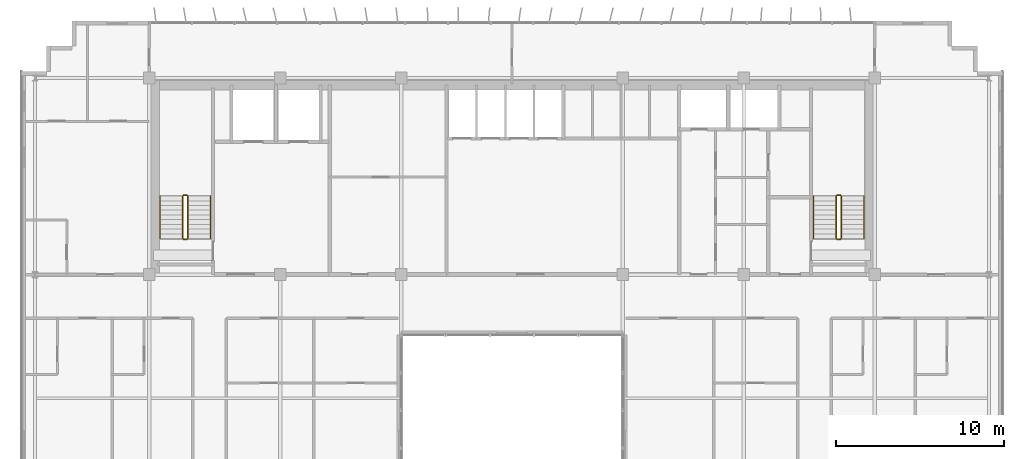
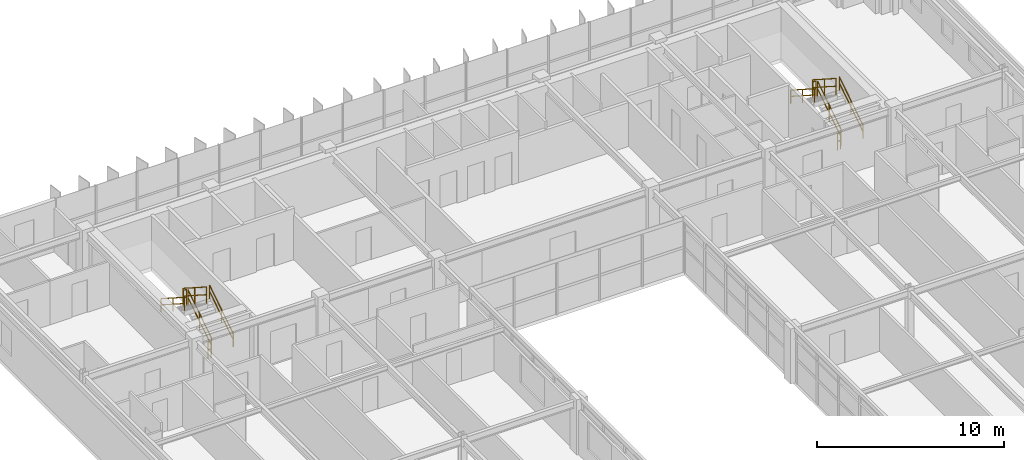
# One storey, part 35 of 35: 12 railings.
"""IFC4 building model written with IfcOpenShell, lengths in metres."""

import ifcopenshell
import ifcopenshell.guid

model = None  # the IFC model being written
_history = None  # IfcOwnerHistory: only IFC2X3 demands one
_inside = {}  # id of a spatial element -> (the spatial element, [elements in it])
_under = {}  # id of a project, library or spatial element -> (it, [spatial elements below it])
_declared = {}  # id of a project -> (the project, [libraries it declares])
_typed = {}  # id of a type object -> (the type object, [elements of that type])
_made_of = {}  # id of a material, layer set ... -> (it, [elements and type objects made of it])


def new_model(schema):
    """Start an empty IFC model of exactly this schema.

    Asked for "IFC4X3", IfcOpenShell would pick the latest addendum, in which some entities
    have other attributes; the version numbers below select the first issue.
    IFC2X3 requires an IfcOwnerHistory on every rooted entity: one is made here for all.
    """
    global model, _history
    if schema == "IFC4X3":
        model = ifcopenshell.file(schema_version=(4, 3, 0, 0))
    else:
        model = ifcopenshell.file(schema=schema)
    _inside.clear()
    _under.clear()
    _declared.clear()
    _typed.clear()
    _made_of.clear()
    _history = None
    if model.schema == "IFC2X3":
        org = make("IfcOrganization", Name="unknown")
        user = make(
            "IfcPersonAndOrganization",
            ThePerson=make("IfcPerson", FamilyName="unknown"),
            TheOrganization=org,
        )
        app = make(
            "IfcApplication",
            ApplicationDeveloper=org,
            Version="unknown",
            ApplicationFullName="unknown",
            ApplicationIdentifier="unknown",
        )
        _history = make(
            "IfcOwnerHistory",
            OwningUser=user,
            OwningApplication=app,
            ChangeAction="ADDED",
            CreationDate=0,
        )
    return model


def make(cls, **values):
    """One entity of the class cls with the attributes given. An attribute that is None is left unset."""
    return model.create_entity(
        cls, **{name: value for name, value in values.items() if value is not None}
    )


def rooted(cls, **values):
    """An entity with a GlobalId (a new one), such as an element, a storey or a relation."""
    return make(cls, GlobalId=ifcopenshell.guid.new(), OwnerHistory=_history, **values)


def si_unit(unit_type, name, prefix=None):
    """IfcSIUnit, for example si_unit("LENGTHUNIT", "METRE", prefix="MILLI")."""
    return make("IfcSIUnit", UnitType=unit_type, Prefix=prefix, Name=name)


def assignment(units):
    """IfcUnitAssignment: the units of a project."""
    return None if units is None else make("IfcUnitAssignment", Units=units)


def point(xyz):
    """IfcCartesianPoint."""
    return None if xyz is None else make("IfcCartesianPoint", Coordinates=xyz)


def direction(xyz):
    """IfcDirection."""
    return None if xyz is None else make("IfcDirection", DirectionRatios=xyz)


def frame(location, z_axis=None, x_axis=None):
    """IfcAxis2Placement3D, a coordinate frame: its origin and axes. An axis left out is left unset."""
    return make(
        "IfcAxis2Placement3D",
        Location=point(location),
        Axis=direction(z_axis),
        RefDirection=direction(x_axis),
    )


def frame_2d(location, x_axis=None):
    """IfcAxis2Placement2D, a coordinate frame in the plane: its origin and x axis."""
    return make(
        "IfcAxis2Placement2D", Location=point(location), RefDirection=direction(x_axis)
    )


def origin():
    """The frame at (0, 0, 0) with its axes left unset."""
    return frame((0.0, 0.0, 0.0))


def origin_2d():
    """The frame at (0, 0) in the plane with its x axis left unset."""
    return frame_2d((0.0, 0.0))


def place(relative_to, where):
    """IfcLocalPlacement: puts the frame where relative to a parent placement (None: the world)."""
    return make(
        "IfcLocalPlacement", PlacementRelTo=relative_to, RelativePlacement=where
    )


def context(
    kind, dimensions, precision=None, world=None, true_north=None, identifier=None
):
    """IfcGeometricRepresentationContext, for example the 3D "Model" context."""
    return make(
        "IfcGeometricRepresentationContext",
        ContextIdentifier=identifier,
        ContextType=kind,
        CoordinateSpaceDimension=dimensions,
        Precision=precision,
        WorldCoordinateSystem=world,
        TrueNorth=true_north,
    )


def subcontext(parent, identifier, kind, view, scale=None):
    """IfcGeometricRepresentationSubContext, for example "Body" below "Model"."""
    return make(
        "IfcGeometricRepresentationSubContext",
        ContextIdentifier=identifier,
        ContextType=kind,
        ParentContext=parent,
        TargetScale=scale,
        TargetView=view,
    )


def project(units=None, contexts=None):
    """IfcProject with its units and contexts."""
    return rooted(
        "IfcProject",
        Name="project",
        RepresentationContexts=contexts,
        UnitsInContext=assignment(units),
    )


def spatial(cls, under=None, at=None, **own):
    """A site, building, storey or space (cls), placed at a placement, below another one or the project."""
    s = rooted(cls, ObjectPlacement=at, **own)
    if under is not None:
        _under.setdefault(under.id(), (under, []))[1].append(s)
    return s


def profile(cls, at=None, kind="AREA", **sizes):
    """A parametric profile (cls). Its sizes go by their IFC names, for example OverallWidth=200.0."""
    return make(cls, ProfileType=kind, Position=at, **sizes)


def rectangle(**sizes):
    """IfcRectangleProfileDef."""
    return profile("IfcRectangleProfileDef", **sizes)


def extrude(swept, where, along, depth):
    """IfcExtrudedAreaSolid: the profile swept, set in the frame where, extruded along a direction by depth."""
    return make(
        "IfcExtrudedAreaSolid",
        SweptArea=swept,
        Position=where,
        ExtrudedDirection=direction(along),
        Depth=depth,
    )


def shape(context_of_items, identifier, shape_type, items):
    """IfcShapeRepresentation: the items that make up one representation, for example the "Body"."""
    return make(
        "IfcShapeRepresentation",
        ContextOfItems=context_of_items,
        RepresentationIdentifier=identifier,
        RepresentationType=shape_type,
        Items=items,
    )


def material(Name=None, Category=None):
    """IfcMaterial."""
    return make("IfcMaterial", Name=Name, Category=Category)


def made_of(thing, what):
    """Note that an element or type object is made of a material, layer set ...; save() writes the relation."""
    if what is not None:
        _made_of.setdefault(what.id(), (what, []))[1].append(thing)
    return thing


def type_object(cls, material=None, **own):
    """A type object (cls), such as IfcWallType, which elements share."""
    return made_of(rooted(cls, **own), material)


def element(
    cls,
    number,
    at=None,
    inside=None,
    cuts=None,
    type_object=None,
    material=None,
    context=None,
    identifier="Body",
    shape_type=None,
    held_by="IfcProductDefinitionShape",
    body=None,
    shapes=None,
    **own,
):
    """One element of the class cls, such as IfcWall. Its Tag is "e" and its number.

    at: its placement. inside: the storey or other place that contains it. cuts: it is an
    opening in that element (IfcRelVoidsElement). A single representation is given by context,
    identifier, shape_type and body (its items); several are given by shapes. held_by: the class
    of the entity that holds the representations. save() writes the other relations.
    """
    e = rooted(cls, Tag="e%d" % number, ObjectPlacement=at, **own)
    if body is not None:
        shapes = [shape(context, identifier, shape_type, body)]
    if shapes is not None:
        e.Representation = make(held_by, Representations=shapes)
    if inside is not None:
        _inside.setdefault(inside.id(), (inside, []))[1].append(e)
    if cuts is not None:
        rooted(
            "IfcRelVoidsElement", RelatingBuildingElement=cuts, RelatedOpeningElement=e
        )
    if type_object is not None:
        _typed.setdefault(type_object.id(), (type_object, []))[1].append(e)
    return made_of(e, material)


def aggregate(whole, parts):
    """IfcRelAggregates: a whole, such as a stair, and the parts it consists of."""
    return rooted("IfcRelAggregates", RelatingObject=whole, RelatedObjects=parts)


def save(model, path):
    """Write the relations noted so far, then the file.

    IfcRelAggregates (storeys below a building ...), IfcRelContainedInSpatialStructure (elements
    in a storey), IfcRelDefinesByType, IfcRelAssociatesMaterial and IfcRelDeclares: one each for
    every whole, place, type object, material and project.
    """
    for whole, parts in _under.values():
        aggregate(whole, parts)
    for where, things in _inside.values():
        rooted(
            "IfcRelContainedInSpatialStructure",
            RelatedElements=things,
            RelatingStructure=where,
        )
    for kind, things in _typed.values():
        rooted("IfcRelDefinesByType", RelatedObjects=things, RelatingType=kind)
    for what, things in _made_of.values():
        rooted("IfcRelAssociatesMaterial", RelatedObjects=things, RelatingMaterial=what)
    for by, libraries in _declared.values():
        rooted("IfcRelDeclares", RelatingContext=by, RelatedDefinitions=libraries)
    model.write(path)


model = new_model("IFC4")

# Units and contexts
model_context = context("Model", 3, precision=1e-05, world=origin(), true_north=direction((0.0, 1.0)))
body_context = subcontext(model_context, "Body", "Model", "MODEL_VIEW")
ifc_project = project(units=[si_unit("LENGTHUNIT", "METRE"), si_unit("AREAUNIT", "SQUARE_METRE"), si_unit("VOLUMEUNIT", "CUBIC_METRE"), si_unit("PLANEANGLEUNIT", "RADIAN"), si_unit("MASSUNIT", "GRAM", prefix="KILO")], contexts=[model_context])

# Site, building, storey
site_placement = place(None, origin())
site = spatial("IfcSite", under=ifc_project, at=site_placement, CompositionType="ELEMENT")
building_placement = place(site_placement, origin())
building = spatial("IfcBuilding", under=site, at=building_placement, Name="Trelvane Seafront Commons", CompositionType="ELEMENT")
storey_placement = place(building_placement, frame((0.0, 0.0, 194.10009765625)))
storey = spatial("IfcBuildingStorey", under=building, at=storey_placement, Name="L50", CompositionType="ELEMENT", Elevation=194.10009765625)

# Railings
ifc_material = material(Name="Stainless steel balustrade", Category="steel")
railing_type_1 = type_object("IfcRailingType", Name="ARCH-SRL-GUARD", PredefinedType="GUARDRAIL", material=ifc_material)
railing_1_placement = place(storey_placement, frame((17.89990234375, 35.550048828125, 0.179931640625)))
element("IfcRailing", 1, at=railing_1_placement, inside=storey, type_object=railing_type_1, Name="L50 ST-1 stair guard 1", PredefinedType="GUARDRAIL", context=body_context, shape_type="SweptSolid", body=[
    extrude(rectangle(XDim=0.048095703125, YDim=0.048095703125, at=origin_2d()), frame((0.0, 0.0, 1.076171875), z_axis=(0.0, 0.841199657755, 0.540724639528), x_axis=(-1.0, 0.0, 0.0)), (0.0, 0.0, 1.0), 2.995849609375),
    extrude(rectangle(XDim=0.048095703125, YDim=0.048095703125, at=origin_2d()), frame((0.0, 0.0, 0.572021484375), z_axis=(0.0, 0.841199657755, 0.540724639528), x_axis=(-1.0, 0.0, 0.0)), (0.0, 0.0, 1.0), 2.995849609375),
    extrude(rectangle(XDim=0.0419921875, YDim=0.0419921875, at=origin_2d()), origin(), (0.0, 0.0, 1.0), 1.076171875),
    extrude(rectangle(XDim=0.0419921875, YDim=0.0419921875, at=origin_2d()), frame((0.0, 1.260009765625, 0.81005859375)), (0.0, 0.0, 1.0), 1.076171875),
    extrude(rectangle(XDim=0.0419921875, YDim=0.0419921875, at=origin_2d()), frame((0.0, 2.52001953125, 1.619873046875)), (0.0, 0.0, 1.0), 1.076171875),
])
railing_2_placement = place(storey_placement, frame((17.85009765625, 38.1201171875, 1.7998046875)))
element("IfcRailing", 2, at=railing_2_placement, inside=storey, type_object=railing_type_1, Name="L50 ST-1 stair guard 2", PredefinedType="GUARDRAIL", context=body_context, shape_type="SweptSolid", body=[
    extrude(rectangle(XDim=0.048095703125, YDim=0.048095703125, at=origin_2d()), frame((0.0, 0.0, 1.076171875), z_axis=(-1.0, 0.0, 0.0), x_axis=(0.0, -1.0, 0.0)), (0.0, 0.0, 1.0), 0.2001953125),
    extrude(rectangle(XDim=0.048095703125, YDim=0.048095703125, at=origin_2d()), frame((0.0, 0.0, 0.572021484375), z_axis=(-1.0, 0.0, 0.0), x_axis=(0.0, -1.0, 0.0)), (0.0, 0.0, 1.0), 0.2001953125),
    extrude(rectangle(XDim=0.0419921875, YDim=0.0419921875, at=origin_2d()), origin(), (0.0, 0.0, 1.0), 1.076171875),
    extrude(rectangle(XDim=0.0419921875, YDim=0.0419921875, at=origin_2d()), frame((-0.2001953125, 0.0, 0.0)), (0.0, 0.0, 1.0), 1.076171875),
])
railing_3_placement = place(storey_placement, frame((17.60009765625, 38.070068359375, 1.97998046875)))
element("IfcRailing", 3, at=railing_3_placement, inside=storey, type_object=railing_type_1, Name="L50 ST-1 stair guard 3", PredefinedType="GUARDRAIL", context=body_context, shape_type="SweptSolid", body=[
    extrude(rectangle(XDim=0.048095703125, YDim=0.048095703125, at=origin_2d()), frame((0.0, 0.0, 1.076171875), z_axis=(0.0, -0.841199657755, 0.540724639528), x_axis=(1.0, 0.0, 0.0)), (0.0, 0.0, 1.0), 2.995849609375),
    extrude(rectangle(XDim=0.048095703125, YDim=0.048095703125, at=origin_2d()), frame((0.0, 0.0, 0.572021484375), z_axis=(0.0, -0.841199657755, 0.540724639528), x_axis=(1.0, 0.0, 0.0)), (0.0, 0.0, 1.0), 2.995849609375),
    extrude(rectangle(XDim=0.0419921875, YDim=0.0419921875, at=origin_2d()), origin(), (0.0, 0.0, 1.0), 1.076171875),
    extrude(rectangle(XDim=0.0419921875, YDim=0.0419921875, at=origin_2d()), frame((0.0, -1.260009765625, 0.81005859375)), (0.0, 0.0, 1.0), 1.076171875),
    extrude(rectangle(XDim=0.0419921875, YDim=0.0419921875, at=origin_2d()), frame((0.0, -2.52001953125, 1.619873046875)), (0.0, 0.0, 1.0), 1.076171875),
])
railing_4_placement = place(storey_placement, frame((17.85009765625, 35.5, 0.0)))
element("IfcRailing", 4, at=railing_4_placement, inside=storey, type_object=railing_type_1, Name="L50 ST-1 stair guard 4", PredefinedType="GUARDRAIL", context=body_context, shape_type="SweptSolid", body=[
    extrude(rectangle(XDim=0.048095703125, YDim=0.048095703125, at=origin_2d()), frame((0.0, 0.0, 1.076171875), z_axis=(-1.0, 0.0, 0.0), x_axis=(0.0, -1.0, 0.0)), (0.0, 0.0, 1.0), 0.2001953125),
    extrude(rectangle(XDim=0.048095703125, YDim=0.048095703125, at=origin_2d()), frame((0.0, 0.0, 0.572021484375), z_axis=(-1.0, 0.0, 0.0), x_axis=(0.0, -1.0, 0.0)), (0.0, 0.0, 1.0), 0.2001953125),
    extrude(rectangle(XDim=0.0419921875, YDim=0.0419921875, at=origin_2d()), origin(), (0.0, 0.0, 1.0), 1.076171875),
    extrude(rectangle(XDim=0.0419921875, YDim=0.0419921875, at=origin_2d()), frame((-0.2001953125, 0.0, 0.0)), (0.0, 0.0, 1.0), 1.076171875),
])
railing_5_placement = place(storey_placement, frame((56.800048828125, 35.550048828125, 0.179931640625)))
element("IfcRailing", 5, at=railing_5_placement, inside=storey, type_object=railing_type_1, Name="L50 ST-2 stair guard 1", PredefinedType="GUARDRAIL", context=body_context, shape_type="SweptSolid", body=[
    extrude(rectangle(XDim=0.048095703125, YDim=0.048095703125, at=origin_2d()), frame((0.0, 0.0, 1.076171875), z_axis=(0.0, 0.841199657755, 0.540724639528), x_axis=(-1.0, 0.0, 0.0)), (0.0, 0.0, 1.0), 2.995849609375),
    extrude(rectangle(XDim=0.048095703125, YDim=0.048095703125, at=origin_2d()), frame((0.0, 0.0, 0.572021484375), z_axis=(0.0, 0.841199657755, 0.540724639528), x_axis=(-1.0, 0.0, 0.0)), (0.0, 0.0, 1.0), 2.995849609375),
    extrude(rectangle(XDim=0.0419921875, YDim=0.0419921875, at=origin_2d()), origin(), (0.0, 0.0, 1.0), 1.076171875),
    extrude(rectangle(XDim=0.0419921875, YDim=0.0419921875, at=origin_2d()), frame((0.0, 1.260009765625, 0.81005859375)), (0.0, 0.0, 1.0), 1.076171875),
    extrude(rectangle(XDim=0.0419921875, YDim=0.0419921875, at=origin_2d()), frame((0.0, 2.52001953125, 1.619873046875)), (0.0, 0.0, 1.0), 1.076171875),
])
railing_6_placement = place(storey_placement, frame((56.75, 38.1201171875, 1.7998046875)))
element("IfcRailing", 6, at=railing_6_placement, inside=storey, type_object=railing_type_1, Name="L50 ST-2 stair guard 2", PredefinedType="GUARDRAIL", context=body_context, shape_type="SweptSolid", body=[
    extrude(rectangle(XDim=0.048095703125, YDim=0.048095703125, at=origin_2d()), frame((0.0, 0.0, 1.076171875), z_axis=(-1.0, 0.0, 0.0), x_axis=(0.0, -1.0, 0.0)), (0.0, 0.0, 1.0), 0.199951171875),
    extrude(rectangle(XDim=0.048095703125, YDim=0.048095703125, at=origin_2d()), frame((0.0, 0.0, 0.572021484375), z_axis=(-1.0, 0.0, 0.0), x_axis=(0.0, -1.0, 0.0)), (0.0, 0.0, 1.0), 0.199951171875),
    extrude(rectangle(XDim=0.0419921875, YDim=0.0419921875, at=origin_2d()), origin(), (0.0, 0.0, 1.0), 1.076171875),
    extrude(rectangle(XDim=0.0419921875, YDim=0.0419921875, at=origin_2d()), frame((-0.199951171875, 0.0, 0.0)), (0.0, 0.0, 1.0), 1.076171875),
])
railing_7_placement = place(storey_placement, frame((56.5, 38.070068359375, 1.97998046875)))
element("IfcRailing", 7, at=railing_7_placement, inside=storey, type_object=railing_type_1, Name="L50 ST-2 stair guard 3", PredefinedType="GUARDRAIL", context=body_context, shape_type="SweptSolid", body=[
    extrude(rectangle(XDim=0.048095703125, YDim=0.048095703125, at=origin_2d()), frame((0.0, 0.0, 1.076171875), z_axis=(0.0, -0.841199657755, 0.540724639528), x_axis=(1.0, 0.0, 0.0)), (0.0, 0.0, 1.0), 2.995849609375),
    extrude(rectangle(XDim=0.048095703125, YDim=0.048095703125, at=origin_2d()), frame((0.0, 0.0, 0.572021484375), z_axis=(0.0, -0.841199657755, 0.540724639528), x_axis=(1.0, 0.0, 0.0)), (0.0, 0.0, 1.0), 2.995849609375),
    extrude(rectangle(XDim=0.0419921875, YDim=0.0419921875, at=origin_2d()), origin(), (0.0, 0.0, 1.0), 1.076171875),
    extrude(rectangle(XDim=0.0419921875, YDim=0.0419921875, at=origin_2d()), frame((0.0, -1.260009765625, 0.81005859375)), (0.0, 0.0, 1.0), 1.076171875),
    extrude(rectangle(XDim=0.0419921875, YDim=0.0419921875, at=origin_2d()), frame((0.0, -2.52001953125, 1.619873046875)), (0.0, 0.0, 1.0), 1.076171875),
])
railing_8_placement = place(storey_placement, frame((56.75, 35.5, 0.0)))
element("IfcRailing", 8, at=railing_8_placement, inside=storey, type_object=railing_type_1, Name="L50 ST-2 stair guard 4", PredefinedType="GUARDRAIL", context=body_context, shape_type="SweptSolid", body=[
    extrude(rectangle(XDim=0.048095703125, YDim=0.048095703125, at=origin_2d()), frame((0.0, 0.0, 1.076171875), z_axis=(-1.0, 0.0, 0.0), x_axis=(0.0, -1.0, 0.0)), (0.0, 0.0, 1.0), 0.199951171875),
    extrude(rectangle(XDim=0.048095703125, YDim=0.048095703125, at=origin_2d()), frame((0.0, 0.0, 0.572021484375), z_axis=(-1.0, 0.0, 0.0), x_axis=(0.0, -1.0, 0.0)), (0.0, 0.0, 1.0), 0.199951171875),
    extrude(rectangle(XDim=0.0419921875, YDim=0.0419921875, at=origin_2d()), origin(), (0.0, 0.0, 1.0), 1.076171875),
    extrude(rectangle(XDim=0.0419921875, YDim=0.0419921875, at=origin_2d()), frame((-0.199951171875, 0.0, 0.0)), (0.0, 0.0, 1.0), 1.076171875),
])
railing_type_2 = type_object("IfcRailingType", Name="ARCH-SRL-HAND", PredefinedType="HANDRAIL", material=ifc_material)
railing_9_placement = place(storey_placement, frame((19.25, 35.550048828125, 0.179931640625)))
element("IfcRailing", 9, at=railing_9_placement, inside=storey, type_object=railing_type_2, Name="L50 ST-1 stair handrail 1", PredefinedType="HANDRAIL", context=body_context, shape_type="SweptSolid", body=[
    extrude(rectangle(XDim=0.048095703125, YDim=0.048095703125, at=origin_2d()), frame((0.0, 0.0, 0.8759765625), z_axis=(0.0, 0.841199657755, 0.540724639528), x_axis=(-1.0, 0.0, 0.0)), (0.0, 0.0, 1.0), 2.995849609375),
    extrude(rectangle(XDim=0.048095703125, YDim=0.048095703125, at=origin_2d()), frame((0.0, 0.0, 0.468017578125), z_axis=(0.0, 0.841199657755, 0.540724639528), x_axis=(-1.0, 0.0, 0.0)), (0.0, 0.0, 1.0), 2.995849609375),
    extrude(rectangle(XDim=0.0419921875, YDim=0.0419921875, at=origin_2d()), origin(), (0.0, 0.0, 1.0), 0.8759765625),
    extrude(rectangle(XDim=0.0419921875, YDim=0.0419921875, at=origin_2d()), frame((0.0, 1.260009765625, 0.81005859375)), (0.0, 0.0, 1.0), 0.8759765625),
    extrude(rectangle(XDim=0.0419921875, YDim=0.0419921875, at=origin_2d()), frame((0.0, 2.52001953125, 1.619873046875)), (0.0, 0.0, 1.0), 0.8759765625),
])
railing_10_placement = place(storey_placement, frame((16.25, 38.070068359375, 1.97998046875)))
element("IfcRailing", 10, at=railing_10_placement, inside=storey, type_object=railing_type_2, Name="L50 ST-1 stair handrail 2", PredefinedType="HANDRAIL", context=body_context, shape_type="SweptSolid", body=[
    extrude(rectangle(XDim=0.048095703125, YDim=0.048095703125, at=origin_2d()), frame((0.0, 0.0, 0.8759765625), z_axis=(0.0, -0.841199657755, 0.540724639528), x_axis=(1.0, 0.0, 0.0)), (0.0, 0.0, 1.0), 2.995849609375),
    extrude(rectangle(XDim=0.048095703125, YDim=0.048095703125, at=origin_2d()), frame((0.0, 0.0, 0.468017578125), z_axis=(0.0, -0.841199657755, 0.540724639528), x_axis=(1.0, 0.0, 0.0)), (0.0, 0.0, 1.0), 2.995849609375),
    extrude(rectangle(XDim=0.0419921875, YDim=0.0419921875, at=origin_2d()), origin(), (0.0, 0.0, 1.0), 0.8759765625),
    extrude(rectangle(XDim=0.0419921875, YDim=0.0419921875, at=origin_2d()), frame((0.0, -1.260009765625, 0.81005859375)), (0.0, 0.0, 1.0), 0.8759765625),
    extrude(rectangle(XDim=0.0419921875, YDim=0.0419921875, at=origin_2d()), frame((0.0, -2.52001953125, 1.619873046875)), (0.0, 0.0, 1.0), 0.8759765625),
])
railing_11_placement = place(storey_placement, frame((58.14990234375, 35.550048828125, 0.179931640625)))
element("IfcRailing", 11, at=railing_11_placement, inside=storey, type_object=railing_type_2, Name="L50 ST-2 stair handrail 1", PredefinedType="HANDRAIL", context=body_context, shape_type="SweptSolid", body=[
    extrude(rectangle(XDim=0.048095703125, YDim=0.048095703125, at=origin_2d()), frame((0.0, 0.0, 0.8759765625), z_axis=(0.0, 0.841199657755, 0.540724639528), x_axis=(-1.0, 0.0, 0.0)), (0.0, 0.0, 1.0), 2.995849609375),
    extrude(rectangle(XDim=0.048095703125, YDim=0.048095703125, at=origin_2d()), frame((0.0, 0.0, 0.468017578125), z_axis=(0.0, 0.841199657755, 0.540724639528), x_axis=(-1.0, 0.0, 0.0)), (0.0, 0.0, 1.0), 2.995849609375),
    extrude(rectangle(XDim=0.0419921875, YDim=0.0419921875, at=origin_2d()), origin(), (0.0, 0.0, 1.0), 0.8759765625),
    extrude(rectangle(XDim=0.0419921875, YDim=0.0419921875, at=origin_2d()), frame((0.0, 1.260009765625, 0.81005859375)), (0.0, 0.0, 1.0), 0.8759765625),
    extrude(rectangle(XDim=0.0419921875, YDim=0.0419921875, at=origin_2d()), frame((0.0, 2.52001953125, 1.619873046875)), (0.0, 0.0, 1.0), 0.8759765625),
])
railing_12_placement = place(storey_placement, frame((55.14990234375, 38.070068359375, 1.97998046875)))
element("IfcRailing", 12, at=railing_12_placement, inside=storey, type_object=railing_type_2, Name="L50 ST-2 stair handrail 2", PredefinedType="HANDRAIL", context=body_context, shape_type="SweptSolid", body=[
    extrude(rectangle(XDim=0.048095703125, YDim=0.048095703125, at=origin_2d()), frame((0.0, 0.0, 0.8759765625), z_axis=(0.0, -0.841199657755, 0.540724639528), x_axis=(1.0, 0.0, 0.0)), (0.0, 0.0, 1.0), 2.995849609375),
    extrude(rectangle(XDim=0.048095703125, YDim=0.048095703125, at=origin_2d()), frame((0.0, 0.0, 0.468017578125), z_axis=(0.0, -0.841199657755, 0.540724639528), x_axis=(1.0, 0.0, 0.0)), (0.0, 0.0, 1.0), 2.995849609375),
    extrude(rectangle(XDim=0.0419921875, YDim=0.0419921875, at=origin_2d()), origin(), (0.0, 0.0, 1.0), 0.8759765625),
    extrude(rectangle(XDim=0.0419921875, YDim=0.0419921875, at=origin_2d()), frame((0.0, -1.260009765625, 0.81005859375)), (0.0, 0.0, 1.0), 0.8759765625),
    extrude(rectangle(XDim=0.0419921875, YDim=0.0419921875, at=origin_2d()), frame((0.0, -2.52001953125, 1.619873046875)), (0.0, 0.0, 1.0), 0.8759765625),
])

save(model, "model.ifc")
